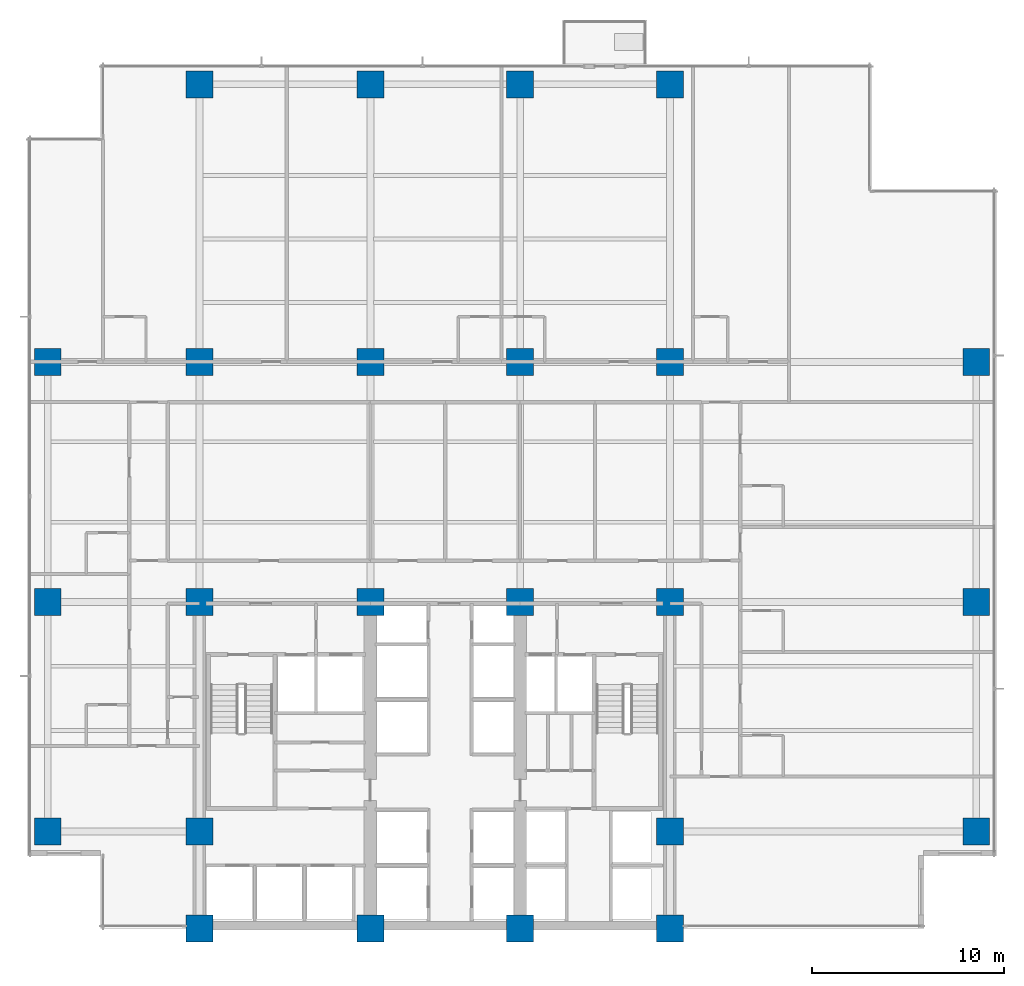
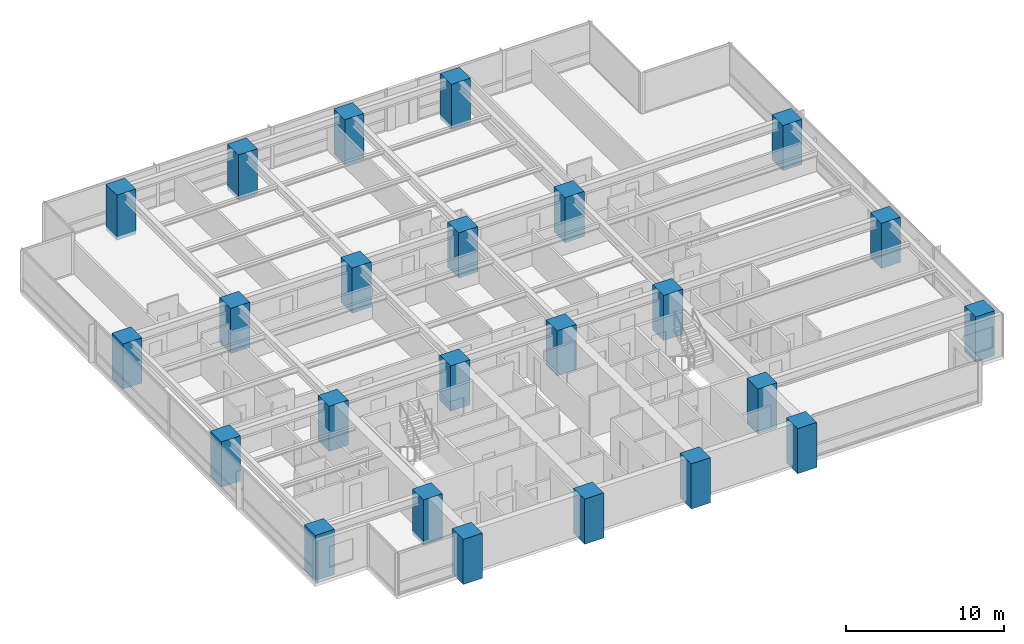
# One storey, part 1 of 16: 24 columns.
"""IFC4 building model written with IfcOpenShell, lengths in metres."""

from ifc_helpers import new_model, si_unit, direction, frame, origin, origin_2d, place, context, subcontext, project, spatial, rectangle, extrude, material, material_profile, profile_set, type_object, element, save


model = new_model("IFC4")

# Units and contexts
model_context = context("Model", 3, precision=1e-05, world=origin(), true_north=direction((0.0, 1.0)))
body_context = subcontext(model_context, "Body", "Model", "MODEL_VIEW")
ifc_project = project(units=[si_unit("LENGTHUNIT", "METRE"), si_unit("AREAUNIT", "SQUARE_METRE"), si_unit("VOLUMEUNIT", "CUBIC_METRE"), si_unit("PLANEANGLEUNIT", "RADIAN"), si_unit("MASSUNIT", "GRAM", prefix="KILO")], contexts=[model_context])

# Site, building, storey
site_placement = place(None, origin())
site = spatial("IfcSite", under=ifc_project, at=site_placement, CompositionType="ELEMENT")
building_placement = place(site_placement, origin())
building = spatial("IfcBuilding", under=site, at=building_placement, Name="Qalmaran Belvedere Hotel", CompositionType="ELEMENT")
storey_placement = place(building_placement, frame((0.0, 0.0, 50.89990234375)))
storey = spatial("IfcBuildingStorey", under=building, at=storey_placement, Name="L12", CompositionType="ELEMENT", Elevation=50.89990234375)

# Columns
ifc_material = material(Name="Concrete C60/75", Category="concrete")
ifc_material_profile = material_profile(ifc_material, rectangle(XDim=1.39990234375, YDim=1.39990234375, at=origin_2d()), Name="CC1400X1400")
ifc_profile_set = profile_set([ifc_material_profile], Name="Concrete C60/75")
column_type = type_object("IfcColumnType", Name="COL-Z1-CC1400", PredefinedType="COLUMN", material=ifc_profile_set)
for number, where, z_axis, x_axis, name in (
    (1, (20.300048828125, 3.5, -0.27978515625), (0.0, 0.0, 1.0), (1.0, 0.0, 0.0), "L12 Column C4B"),
    (2, (29.199951171875, 3.5, -0.27978515625), (0.0, 0.0, 1.0), (1.0, 0.0, 0.0), "L12 Column C5B"),
    (3, (37.0, 3.5, -0.27978515625), (0.0, 0.0, 1.0), (1.0, 0.0, 0.0), "L12 Column C6B"),
    (4, (44.800048828125, 3.5, -0.27978515625), (0.0, 0.0, 1.0), (1.0, 0.0, 0.0), "L12 Column C7B"),
    (5, (20.300048828125, 8.550048828125, -0.27978515625), (0.0, 0.0, 1.0), (1.0, 0.0, 0.0), "L12 Column C4C"),
    (6, (44.800048828125, 8.550048828125, -0.27978515625), (0.0, 0.0, 1.0), (1.0, 0.0, 0.0), "L12 Column C7C"),
    (7, (20.300048828125, 20.5, -0.27978515625), (0.0, 0.0, 1.0), (1.0, 0.0, 0.0), "L12 Column C4D"),
    (8, (29.199951171875, 20.5, -0.27978515625), (0.0, 0.0, 1.0), (1.0, 0.0, 0.0), "L12 Column C5D"),
    (9, (37.0, 20.5, -0.27978515625), (0.0, 0.0, 1.0), (1.0, 0.0, 0.0), "L12 Column C6D"),
    (10, (44.800048828125, 20.5, -0.27978515625), (0.0, 0.0, 1.0), (1.0, 0.0, 0.0), "L12 Column C7D"),
    (11, (20.300048828125, 33.0, -0.27978515625), (0.0, 0.0, 1.0), (1.0, 0.0, 0.0), "L12 Column C4F"),
    (12, (29.199951171875, 33.0, -0.27978515625), (0.0, 0.0, 1.0), (1.0, 0.0, 0.0), "L12 Column C5F"),
    (13, (37.0, 33.0, -0.27978515625), (0.0, 0.0, 1.0), (1.0, 0.0, 0.0), "L12 Column C6F"),
    (14, (44.800048828125, 33.0, -0.27978515625), (0.0, 0.0, 1.0), (1.0, 0.0, 0.0), "L12 Column C7F"),
    (15, (12.39990234375, 8.550048828125, -0.27978515625), (0.0, 0.0, 1.0), (1.0, 0.0, 0.0), "L12 Column CW1"),
    (16, (12.39990234375, 20.5, -0.27978515625), (0.0, 0.0, 1.0), (1.0, 0.0, 0.0), "L12 Column CW3"),
    (17, (12.39990234375, 33.0, -0.27978515625), (0.0, 0.0, 1.0), (1.0, 0.0, 0.0), "L12 Column CW4"),
    (18, (60.75, 8.550048828125, -0.27978515625), (0.0, 0.0, 1.0), (1.0, 0.0, 0.0), "L12 Column CE1"),
    (19, (60.75, 20.5, -0.27978515625), (0.0, 0.0, 1.0), (1.0, 0.0, 0.0), "L12 Column CE3"),
    (20, (60.75, 33.0, -0.27978515625), (0.0, 0.0, 1.0), (1.0, 0.0, 0.0), "L12 Column CE4"),
    (21, (20.300048828125, 47.449951171875, -0.27978515625), (0.0, 0.0, 1.0), (1.0, 0.0, 0.0), "L12 Column CN1"),
    (22, (29.199951171875, 47.449951171875, -0.27978515625), (0.0, 0.0, 1.0), (1.0, 0.0, 0.0), "L12 Column CN2"),
    (23, (37.0, 47.449951171875, -0.27978515625), (0.0, 0.0, 1.0), (1.0, 0.0, 0.0), "L12 Column CN3"),
    (24, (44.800048828125, 47.449951171875, -0.27978515625), (0.0, 0.0, 1.0), (1.0, 0.0, 0.0), "L12 Column CN4"),
):
    element("IfcColumn", number, at=place(storey_placement, frame(where, z_axis=z_axis, x_axis=x_axis)), inside=storey, type_object=column_type, Name=name, PredefinedType="COLUMN", context=body_context, shape_type="SweptSolid", body=[
        extrude(rectangle(XDim=1.39990234375, YDim=1.39990234375, at=origin_2d()), origin(), (0.0, 0.0, 1.0), 3.5),
    ])

save(model, "model.ifc")
